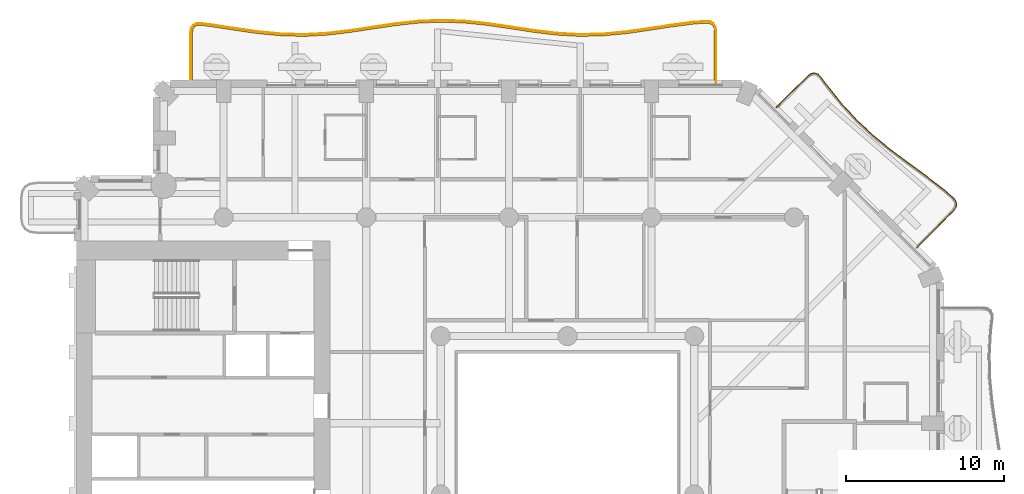
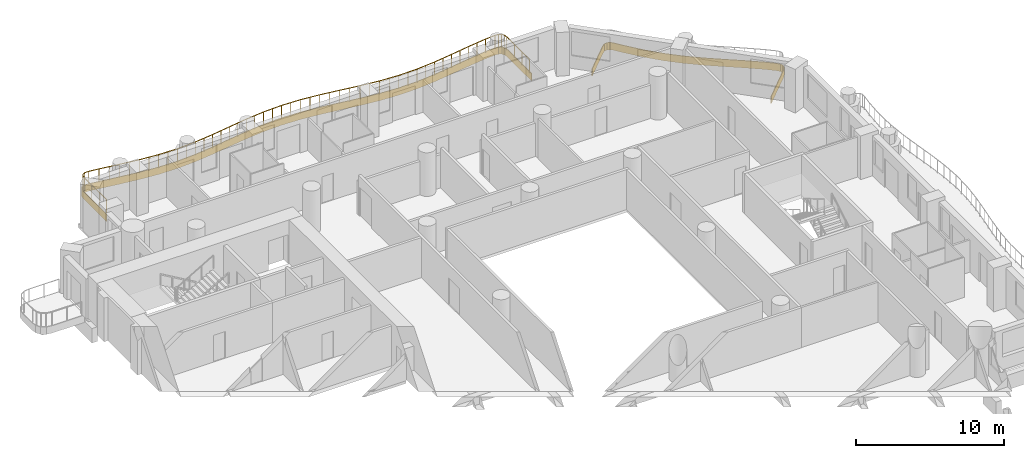
# One storey, part 17 of 19: 2 coverings, 1 railing.
"""IFC4 building model written with IfcOpenShell, lengths in metres."""

from ifc_helpers import new_model, si_unit, direction, frame, origin, origin_2d, place, context, subcontext, project, spatial, polyline, rectangle, outline, extrude, material, layer, layer_set, type_object, element, save


model = new_model("IFC4")

# Units and contexts
model_context = context("Model", 3, precision=1e-05, world=origin(), true_north=direction((0.0, 1.0)))
body_context = subcontext(model_context, "Body", "Model", "MODEL_VIEW")
ifc_project = project(units=[si_unit("LENGTHUNIT", "METRE"), si_unit("AREAUNIT", "SQUARE_METRE"), si_unit("VOLUMEUNIT", "CUBIC_METRE"), si_unit("PLANEANGLEUNIT", "RADIAN"), si_unit("MASSUNIT", "GRAM", prefix="KILO")], contexts=[model_context])

# Site, building, storey
site_placement = place(None, origin())
site = spatial("IfcSite", under=ifc_project, at=site_placement, CompositionType="ELEMENT")
building_placement = place(site_placement, origin())
building = spatial("IfcBuilding", under=site, at=building_placement, Name="Cypress Arch Tower", CompositionType="ELEMENT")
storey_placement = place(building_placement, frame((0.0, 0.0, 98.699951171875)))
storey = spatial("IfcBuildingStorey", under=building, at=storey_placement, Name="L19", CompositionType="ELEMENT", Elevation=98.699951171875)

# Coverings
ifc_material_1 = material(Name="White powder-coated aluminium fascia", Category="aluminium")
ifc_layer = layer(ifc_material_1, 0.050048828125)
ifc_layer_set = layer_set([ifc_layer], Name="Balcony fascia BF50")
covering_type = type_object("IfcCoveringType", Name="Balcony fascia BF50", PredefinedType="CLADDING", material=ifc_layer_set)
covering_1_placement = place(storey_placement, frame((0.0, 0.0, -0.599853515625)))
element("IfcCovering", 1, at=covering_1_placement, inside=storey, type_object=covering_type, Name="Balcony fascia L19-A07", PredefinedType="CLADDING", context=body_context, shape_type="SweptSolid", body=[
    extrude(outline(polyline([(16.12109375, 26.409912109375), (16.351318359375, 26.58203125), (16.5859375, 26.631591796875), (16.81103515625, 26.54833984375), (17.013671875, 26.3447265625), (17.47509765625, 25.724609375), (18.349609375, 24.643310546875), (19.287109375, 23.626220703125), (20.297607421875, 22.68212890625), (21.373779296875, 21.802734375), (22.493896484375, 20.965087890625), (23.62548828125, 20.13671875), (24.734130859375, 19.282958984375), (25.317138671875, 18.78125), (25.50634765625, 18.564453125), (25.57861328125, 18.331298828125), (25.52392578125, 18.09326171875), (25.3515625, 17.86279296875), (23.045166015625, 15.556396484375), (23.009765625, 15.591796875), (25.313720703125, 17.895751953125), (25.4775390625, 18.11474609375), (25.52685546875, 18.329345703125), (25.461669921875, 18.53955078125), (25.281982421875, 18.74560546875), (24.70263671875, 19.244140625), (23.595458984375, 20.0966796875), (22.464111328125, 20.9248046875), (21.343017578125, 21.76318359375), (20.2646484375, 22.64453125), (19.251708984375, 23.591064453125), (18.311767578125, 24.610595703125), (17.435546875, 25.694091796875), (16.975830078125, 26.31201171875), (16.783203125, 26.50537109375), (16.582275390625, 26.579833984375), (16.372314453125, 26.535400390625), (16.15380859375, 26.371826171875), (14.191650390625, 24.40966796875), (14.15625, 24.445068359375), (16.12109375, 26.409912109375)])), origin(), (0.0, 0.0, 1.0), 0.599853515625),
])
covering_2_placement = place(storey_placement, frame((0.0, 0.0, -0.599853515625)))
element("IfcCovering", 2, at=covering_2_placement, inside=storey, type_object=covering_type, Name="Balcony fascia L19-A08", PredefinedType="CLADDING", context=body_context, shape_type="SweptSolid", body=[
    extrude(outline(polyline([(-22.800048828125, 29.129638671875), (-22.757568359375, 29.42431640625), (-22.622314453125, 29.6337890625), (-22.397216796875, 29.740478515625), (-22.099365234375, 29.744384765625), (-21.3037109375, 29.64013671875), (-19.864501953125, 29.4169921875), (-18.4267578125, 29.21435546875), (-16.99072265625, 29.082275390625), (-15.55517578125, 29.05322265625), (-14.11962890625, 29.13427734375), (-12.682861328125, 29.3056640625), (-11.244384765625, 29.525146484375), (-9.80419921875, 29.73828125), (-8.3623046875, 29.892822265625), (-6.919677734375, 29.949951171875), (-5.476806640625, 29.895751953125), (-4.034912109375, 29.74365234375), (-2.5947265625, 29.53125), (-1.15625, 29.311279296875), (0.280517578125, 29.137939453125), (1.71630859375, 29.05419921875), (3.151611328125, 29.080078125), (4.587646484375, 29.209716796875), (6.025390625, 29.410888671875), (7.464599609375, 29.63427734375), (8.90576171875, 29.82470703125), (9.7021484375, 29.885498046875), (9.99951171875, 29.865478515625), (10.223388671875, 29.748046875), (10.357421875, 29.533935546875), (10.39990234375, 29.23876953125), (10.39990234375, 26.0009765625), (10.35009765625, 26.0009765625), (10.35009765625, 29.235107421875), (10.3095703125, 29.516357421875), (10.18798828125, 29.7099609375), (9.98583984375, 29.81640625), (9.702392578125, 29.835205078125), (8.910888671875, 29.77490234375), (7.4716796875, 29.584716796875), (6.03271484375, 29.361572265625), (4.593505859375, 29.159912109375), (3.154296875, 29.030029296875), (1.71533203125, 29.004150390625), (0.276123046875, 29.088134765625), (-1.1630859375, 29.26171875), (-2.602294921875, 29.481689453125), (-4.041259765625, 29.69384765625), (-5.48046875, 29.845947265625), (-6.919677734375, 29.89990234375), (-8.358642578125, 29.843017578125), (-9.7978515625, 29.688720703125), (-11.237060546875, 29.4755859375), (-12.676025390625, 29.256103515625), (-14.115234375, 29.08447265625), (-15.554443359375, 29.003173828125), (-16.993408203125, 29.032470703125), (-18.4326171875, 29.164794921875), (-19.871826171875, 29.367431640625), (-21.310791015625, 29.590576171875), (-22.102294921875, 29.6943359375), (-22.3857421875, 29.690673828125), (-22.588134765625, 29.5947265625), (-22.70947265625, 29.406494140625), (-22.75, 29.1259765625), (-22.75, 26.0009765625), (-22.800048828125, 26.0009765625), (-22.800048828125, 29.129638671875)])), origin(), (0.0, 0.0, 1.0), 0.599853515625),
])

# Railing
ifc_material_2 = material(Name="Powder-coated steel posts and rods, 100 mm clear between rods", Category="steel")
railing_type = type_object("IfcRailingType", Name="Balcony guard GR1100", PredefinedType="GUARDRAIL", material=ifc_material_2)
railing_placement = place(storey_placement, frame((-22.699951171875, 26.14990234375, 0.0)))
element("IfcRailing", 3, at=railing_placement, inside=storey, type_object=railing_type, Name="Balcony guard L19-A08", PredefinedType="GUARDRAIL", context=body_context, shape_type="SweptSolid", body=[
    extrude(rectangle(XDim=0.050048828125, YDim=0.050048828125, at=origin_2d()), frame((0.0, 0.0, 1.0751953125), z_axis=(0.0, 1.0, 0.0), x_axis=(-1.0, 0.0, 0.0)), (0.0, 0.0, 1.0), 2.972412109375),
    extrude(rectangle(XDim=0.050048828125, YDim=0.050048828125, at=origin_2d()), frame((0.0, 2.972412109375, 1.0751953125), z_axis=(0.14256541736, 0.989785381673, 0.0), x_axis=(-0.989785381673, 0.14256541736, 0.0)), (0.0, 0.0, 1.0), 0.268798828125),
    extrude(rectangle(XDim=0.050048828125, YDim=0.050048828125, at=origin_2d()), frame((0.038330078125, 3.238525390625, 1.0751953125), z_axis=(0.5421827487, 0.840260594704, 0.0), x_axis=(-0.840260594704, 0.5421827487, 0.0)), (0.0, 0.0, 1.0), 0.198974609375),
    extrude(rectangle(XDim=0.050048828125, YDim=0.050048828125, at=origin_2d()), frame((0.146240234375, 3.40576171875, 1.0751953125), z_axis=(0.903812941025, 0.427927759832, 0.0), x_axis=(-0.427927759832, 0.903812941025, 0.0)), (0.0, 0.0, 1.0), 0.198486328125),
    extrude(rectangle(XDim=0.050048828125, YDim=0.050048828125, at=origin_2d()), frame((0.32568359375, 3.49072265625, 1.0751953125), z_axis=(0.999907374836, 0.013610354467, 0.0), x_axis=(-0.013610354467, 0.999907374836, 0.0)), (0.0, 0.0, 1.0), 0.26904296875),
    extrude(rectangle(XDim=0.050048828125, YDim=0.050048828125, at=origin_2d()), frame((0.5947265625, 3.494384765625, 1.0751953125), z_axis=(0.991547179786, -0.129746638719, 0.0), x_axis=(0.129746638719, 0.991547179786, 0.0)), (0.0, 0.0, 1.0), 0.7939453125),
    extrude(rectangle(XDim=0.050048828125, YDim=0.050048828125, at=origin_2d()), frame((1.382080078125, 3.391357421875, 1.0751953125), z_axis=(0.988184852879, -0.153266749624, 0.0), x_axis=(0.153266749624, 0.988184852879, 0.0)), (0.0, 0.0, 1.0), 1.455810546875),
    extrude(rectangle(XDim=0.050048828125, YDim=0.050048828125, at=origin_2d()), frame((2.82080078125, 3.168212890625, 1.0751953125), z_axis=(0.990206257775, -0.139612202418, 0.0), x_axis=(0.139612202418, 0.990206257775, 0.0)), (0.0, 0.0, 1.0), 1.454833984375),
    extrude(rectangle(XDim=0.050048828125, YDim=0.050048828125, at=origin_2d()), frame((4.261474609375, 2.965087890625, 1.0751953125), z_axis=(0.995801502234, -0.091538888727, 0.0), x_axis=(0.091538888727, 0.995801502234, 0.0)), (0.0, 0.0, 1.0), 1.4482421875),
    extrude(rectangle(XDim=0.050048828125, YDim=0.050048828125, at=origin_2d()), frame((5.70361328125, 2.83251953125, 1.0751953125), z_axis=(0.999793925966, -0.020300384284, 0.0), x_axis=(0.020300384284, 0.999793925966, 0.0)), (0.0, 0.0, 1.0), 1.443115234375),
    extrude(rectangle(XDim=0.050048828125, YDim=0.050048828125, at=origin_2d()), frame((7.146484375, 2.80322265625, 1.0751953125), z_axis=(0.998406339477, 0.05643386654, 0.0), x_axis=(-0.05643386654, 0.998406339477, 0.0)), (0.0, 0.0, 1.0), 1.44482421875),
    extrude(rectangle(XDim=0.050048828125, YDim=0.050048828125, at=origin_2d()), frame((8.589111328125, 2.884765625, 1.0751953125), z_axis=(0.992965693526, 0.11840241332, 0.0), x_axis=(-0.11840241332, 0.992965693526, 0.0)), (0.0, 0.0, 1.0), 1.45166015625),
    extrude(rectangle(XDim=0.050048828125, YDim=0.050048828125, at=origin_2d()), frame((10.030517578125, 3.056640625, 1.0751953125), z_axis=(0.988556974832, 0.150847961572, 0.0), x_axis=(-0.150847961572, 0.988556974832, 0.0)), (0.0, 0.0, 1.0), 1.45654296875),
    extrude(rectangle(XDim=0.050048828125, YDim=0.050048828125, at=origin_2d()), frame((11.470458984375, 3.2763671875, 1.0751953125), z_axis=(0.989217885368, 0.146451272673, 0.0), x_axis=(-0.146451272673, 0.989217885368, 0.0)), (0.0, 0.0, 1.0), 1.45361328125),
    extrude(rectangle(XDim=0.050048828125, YDim=0.050048828125, at=origin_2d()), frame((12.908447265625, 3.4892578125, 1.0751953125), z_axis=(0.994316822862, 0.106461522502, 0.0), x_axis=(-0.106461522502, 0.994316822862, 0.0)), (0.0, 0.0, 1.0), 1.44482421875),
    extrude(rectangle(XDim=0.050048828125, YDim=0.050048828125, at=origin_2d()), frame((14.344970703125, 3.64306640625, 1.0751953125), z_axis=(0.999215819367, 0.039594776516, 0.0), x_axis=(-0.039594776516, 0.999215819367, 0.0)), (0.0, 0.0, 1.0), 1.436767578125),
    extrude(rectangle(XDim=0.050048828125, YDim=0.050048828125, at=origin_2d()), frame((15.780517578125, 3.699951171875, 1.0751953125), z_axis=(0.999294430056, -0.037558515143, 0.0), x_axis=(0.037558515143, 0.999294430056, 0.0)), (0.0, 0.0, 1.0), 1.4365234375),
    extrude(rectangle(XDim=0.050048828125, YDim=0.050048828125, at=origin_2d()), frame((17.216064453125, 3.64599609375, 1.0751953125), z_axis=(0.994474844006, -0.104975162014, 0.0), x_axis=(0.104975162014, 0.994474844006, 0.0)), (0.0, 0.0, 1.0), 1.4443359375),
    extrude(rectangle(XDim=0.050048828125, YDim=0.050048828125, at=origin_2d()), frame((18.65234375, 3.494384765625, 1.0751953125), z_axis=(0.989315000854, -0.145793789599, 0.0), x_axis=(0.145793789599, 0.989315000854, 0.0)), (0.0, 0.0, 1.0), 1.45361328125),
    extrude(rectangle(XDim=0.050048828125, YDim=0.050048828125, at=origin_2d()), frame((20.09033203125, 3.282470703125, 1.0751953125), z_axis=(0.988503103525, -0.151200576459, 0.0), x_axis=(0.151200576459, 0.988503103525, 0.0)), (0.0, 0.0, 1.0), 1.45654296875),
    extrude(rectangle(XDim=0.050048828125, YDim=0.050048828125, at=origin_2d()), frame((21.530029296875, 3.062255859375, 1.0751953125), z_axis=(0.992809055205, -0.119708729434, 0.0), x_axis=(0.119708729434, 0.992809055205, 0.0)), (0.0, 0.0, 1.0), 1.4521484375),
    extrude(rectangle(XDim=0.050048828125, YDim=0.050048828125, at=origin_2d()), frame((22.9716796875, 2.888427734375, 1.0751953125), z_axis=(0.998299337099, -0.058296085189, 0.0), x_axis=(0.058296085189, 0.998299337099, 0.0)), (0.0, 0.0, 1.0), 1.44482421875),
    extrude(rectangle(XDim=0.050048828125, YDim=0.050048828125, at=origin_2d()), frame((24.4140625, 2.80419921875, 1.0751953125), z_axis=(0.999836146453, 0.018101940384, 0.0), x_axis=(-0.018101940384, 0.999836146453, 0.0)), (0.0, 0.0, 1.0), 1.443115234375),
    extrude(rectangle(XDim=0.050048828125, YDim=0.050048828125, at=origin_2d()), frame((25.85693359375, 2.830322265625, 1.0751953125), z_axis=(0.995953790443, 0.08986683093, 0.0), x_axis=(-0.08986683093, 0.995953790443, 0.0)), (0.0, 0.0, 1.0), 1.447998046875),
    extrude(rectangle(XDim=0.050048828125, YDim=0.050048828125, at=origin_2d()), frame((27.299072265625, 2.96044921875, 1.0751953125), z_axis=(0.990344972575, 0.138624800432, 0.0), x_axis=(-0.138624800432, 0.990344972575, 0.0)), (0.0, 0.0, 1.0), 1.454833984375),
    extrude(rectangle(XDim=0.050048828125, YDim=0.050048828125, at=origin_2d()), frame((28.73974609375, 3.162109375, 1.0751953125), z_axis=(0.98816338909, 0.153405073128, 0.0), x_axis=(-0.153405073128, 0.98816338909, 0.0)), (0.0, 0.0, 1.0), 1.456298828125),
    extrude(rectangle(XDim=0.050048828125, YDim=0.050048828125, at=origin_2d()), frame((30.1787109375, 3.385498046875, 1.0751953125), z_axis=(0.991402055353, 0.130850925261, 0.0), x_axis=(-0.130850925261, 0.991402055353, 0.0)), (0.0, 0.0, 1.0), 1.44970703125),
    extrude(rectangle(XDim=0.050048828125, YDim=0.050048828125, at=origin_2d()), frame((31.615966796875, 3.5751953125, 1.0751953125), z_axis=(0.99709801299, 0.076128526131, 0.0), x_axis=(-0.076128526131, 0.99709801299, 0.0)), (0.0, 0.0, 1.0), 0.788818359375),
    extrude(rectangle(XDim=0.050048828125, YDim=0.050048828125, at=origin_2d()), frame((32.402587890625, 3.63525390625, 1.0751953125), z_axis=(0.997757051233, -0.066939276329, 0.0), x_axis=(0.066939276329, 0.997757051233, 0.0)), (0.0, 0.0, 1.0), 0.269775390625),
    extrude(rectangle(XDim=0.050048828125, YDim=0.050048828125, at=origin_2d()), frame((32.671875, 3.6171875, 1.0751953125), z_axis=(0.884918222382, -0.465746432833, 0.0), x_axis=(0.465746432833, 0.884918222382, 0.0)), (0.0, 0.0, 1.0), 0.204345703125),
    extrude(rectangle(XDim=0.050048828125, YDim=0.050048828125, at=origin_2d()), frame((32.852783203125, 3.52197265625, 1.0751953125), z_axis=(0.531071251699, -0.847327165632, 0.0), x_axis=(0.847327165632, 0.531071251699, 0.0)), (0.0, 0.0, 1.0), 0.20458984375),
    extrude(rectangle(XDim=0.050048828125, YDim=0.050048828125, at=origin_2d()), frame((32.96142578125, 3.3486328125, 1.0751953125), z_axis=(0.143069172256, -0.989712691618, 0.0), x_axis=(0.989712691618, 0.143069172256, 0.0)), (0.0, 0.0, 1.0), 0.26953125),
    extrude(rectangle(XDim=0.050048828125, YDim=0.050048828125, at=origin_2d()), frame((33.0, 3.081787109375, 1.0751953125), z_axis=(0.0, -1.0, 0.0), x_axis=(1.0, 0.0, 0.0)), (0.0, 0.0, 1.0), 3.081787109375),
    extrude(rectangle(XDim=0.0400390625, YDim=0.0400390625, at=origin_2d()), origin(), (0.0, 0.0, 1.0), 1.050048828125),
    extrude(rectangle(XDim=0.0400390625, YDim=0.0400390625, at=origin_2d()), frame((0.0, 0.99072265625, 0.0)), (0.0, 0.0, 1.0), 1.050048828125),
    extrude(rectangle(XDim=0.0400390625, YDim=0.0400390625, at=origin_2d()), frame((0.0, 1.981689453125, 0.0)), (0.0, 0.0, 1.0), 1.050048828125),
    extrude(rectangle(XDim=0.0400390625, YDim=0.0400390625, at=origin_2d()), frame((0.0, 2.972412109375, 0.0)), (0.0, 0.0, 1.0), 1.050048828125),
    extrude(rectangle(XDim=0.0400390625, YDim=0.0400390625, at=origin_2d()), frame((0.038330078125, 3.238525390625, 0.0)), (0.0, 0.0, 1.0), 1.050048828125),
    extrude(rectangle(XDim=0.0400390625, YDim=0.0400390625, at=origin_2d()), frame((0.146240234375, 3.40576171875, 0.0)), (0.0, 0.0, 1.0), 1.050048828125),
    extrude(rectangle(XDim=0.0400390625, YDim=0.0400390625, at=origin_2d()), frame((0.32568359375, 3.49072265625, 0.0)), (0.0, 0.0, 1.0), 1.050048828125),
    extrude(rectangle(XDim=0.0400390625, YDim=0.0400390625, at=origin_2d()), frame((0.5947265625, 3.494384765625, 0.0)), (0.0, 0.0, 1.0), 1.050048828125),
    extrude(rectangle(XDim=0.0400390625, YDim=0.0400390625, at=origin_2d()), frame((1.382080078125, 3.391357421875, 0.0)), (0.0, 0.0, 1.0), 1.050048828125),
    extrude(rectangle(XDim=0.0400390625, YDim=0.0400390625, at=origin_2d()), frame((2.1015625, 3.27978515625, 0.0)), (0.0, 0.0, 1.0), 1.050048828125),
    extrude(rectangle(XDim=0.0400390625, YDim=0.0400390625, at=origin_2d()), frame((2.82080078125, 3.168212890625, 0.0)), (0.0, 0.0, 1.0), 1.050048828125),
    extrude(rectangle(XDim=0.0400390625, YDim=0.0400390625, at=origin_2d()), frame((3.541015625, 3.066650390625, 0.0)), (0.0, 0.0, 1.0), 1.050048828125),
    extrude(rectangle(XDim=0.0400390625, YDim=0.0400390625, at=origin_2d()), frame((4.261474609375, 2.965087890625, 0.0)), (0.0, 0.0, 1.0), 1.050048828125),
    extrude(rectangle(XDim=0.0400390625, YDim=0.0400390625, at=origin_2d()), frame((4.982421875, 2.89892578125, 0.0)), (0.0, 0.0, 1.0), 1.050048828125),
    extrude(rectangle(XDim=0.0400390625, YDim=0.0400390625, at=origin_2d()), frame((5.70361328125, 2.83251953125, 0.0)), (0.0, 0.0, 1.0), 1.050048828125),
    extrude(rectangle(XDim=0.0400390625, YDim=0.0400390625, at=origin_2d()), frame((6.425048828125, 2.81787109375, 0.0)), (0.0, 0.0, 1.0), 1.050048828125),
    extrude(rectangle(XDim=0.0400390625, YDim=0.0400390625, at=origin_2d()), frame((7.146484375, 2.80322265625, 0.0)), (0.0, 0.0, 1.0), 1.050048828125),
    extrude(rectangle(XDim=0.0400390625, YDim=0.0400390625, at=origin_2d()), frame((7.86767578125, 2.843994140625, 0.0)), (0.0, 0.0, 1.0), 1.050048828125),
    extrude(rectangle(XDim=0.0400390625, YDim=0.0400390625, at=origin_2d()), frame((8.589111328125, 2.884765625, 0.0)), (0.0, 0.0, 1.0), 1.050048828125),
    extrude(rectangle(XDim=0.0400390625, YDim=0.0400390625, at=origin_2d()), frame((9.309814453125, 2.970703125, 0.0)), (0.0, 0.0, 1.0), 1.050048828125),
    extrude(rectangle(XDim=0.0400390625, YDim=0.0400390625, at=origin_2d()), frame((10.030517578125, 3.056640625, 0.0)), (0.0, 0.0, 1.0), 1.050048828125),
    extrude(rectangle(XDim=0.0400390625, YDim=0.0400390625, at=origin_2d()), frame((10.75048828125, 3.16650390625, 0.0)), (0.0, 0.0, 1.0), 1.050048828125),
    extrude(rectangle(XDim=0.0400390625, YDim=0.0400390625, at=origin_2d()), frame((11.470458984375, 3.2763671875, 0.0)), (0.0, 0.0, 1.0), 1.050048828125),
    extrude(rectangle(XDim=0.0400390625, YDim=0.0400390625, at=origin_2d()), frame((12.189453125, 3.3828125, 0.0)), (0.0, 0.0, 1.0), 1.050048828125),
    extrude(rectangle(XDim=0.0400390625, YDim=0.0400390625, at=origin_2d()), frame((12.908447265625, 3.4892578125, 0.0)), (0.0, 0.0, 1.0), 1.050048828125),
    extrude(rectangle(XDim=0.0400390625, YDim=0.0400390625, at=origin_2d()), frame((13.626708984375, 3.566162109375, 0.0)), (0.0, 0.0, 1.0), 1.050048828125),
    extrude(rectangle(XDim=0.0400390625, YDim=0.0400390625, at=origin_2d()), frame((14.344970703125, 3.64306640625, 0.0)), (0.0, 0.0, 1.0), 1.050048828125),
    extrude(rectangle(XDim=0.0400390625, YDim=0.0400390625, at=origin_2d()), frame((15.062744140625, 3.67138671875, 0.0)), (0.0, 0.0, 1.0), 1.050048828125),
    extrude(rectangle(XDim=0.0400390625, YDim=0.0400390625, at=origin_2d()), frame((15.780517578125, 3.699951171875, 0.0)), (0.0, 0.0, 1.0), 1.050048828125),
    extrude(rectangle(XDim=0.0400390625, YDim=0.0400390625, at=origin_2d()), frame((16.498291015625, 3.6728515625, 0.0)), (0.0, 0.0, 1.0), 1.050048828125),
    extrude(rectangle(XDim=0.0400390625, YDim=0.0400390625, at=origin_2d()), frame((17.216064453125, 3.64599609375, 0.0)), (0.0, 0.0, 1.0), 1.050048828125),
    extrude(rectangle(XDim=0.0400390625, YDim=0.0400390625, at=origin_2d()), frame((17.93408203125, 3.5703125, 0.0)), (0.0, 0.0, 1.0), 1.050048828125),
    extrude(rectangle(XDim=0.0400390625, YDim=0.0400390625, at=origin_2d()), frame((18.65234375, 3.494384765625, 0.0)), (0.0, 0.0, 1.0), 1.050048828125),
    extrude(rectangle(XDim=0.0400390625, YDim=0.0400390625, at=origin_2d()), frame((19.371337890625, 3.388427734375, 0.0)), (0.0, 0.0, 1.0), 1.050048828125),
    extrude(rectangle(XDim=0.0400390625, YDim=0.0400390625, at=origin_2d()), frame((20.09033203125, 3.282470703125, 0.0)), (0.0, 0.0, 1.0), 1.050048828125),
    extrude(rectangle(XDim=0.0400390625, YDim=0.0400390625, at=origin_2d()), frame((20.81005859375, 3.17236328125, 0.0)), (0.0, 0.0, 1.0), 1.050048828125),
    extrude(rectangle(XDim=0.0400390625, YDim=0.0400390625, at=origin_2d()), frame((21.530029296875, 3.062255859375, 0.0)), (0.0, 0.0, 1.0), 1.050048828125),
    extrude(rectangle(XDim=0.0400390625, YDim=0.0400390625, at=origin_2d()), frame((22.2509765625, 2.975341796875, 0.0)), (0.0, 0.0, 1.0), 1.050048828125),
    extrude(rectangle(XDim=0.0400390625, YDim=0.0400390625, at=origin_2d()), frame((22.9716796875, 2.888427734375, 0.0)), (0.0, 0.0, 1.0), 1.050048828125),
    extrude(rectangle(XDim=0.0400390625, YDim=0.0400390625, at=origin_2d()), frame((23.69287109375, 2.84619140625, 0.0)), (0.0, 0.0, 1.0), 1.050048828125),
    extrude(rectangle(XDim=0.0400390625, YDim=0.0400390625, at=origin_2d()), frame((24.4140625, 2.80419921875, 0.0)), (0.0, 0.0, 1.0), 1.050048828125),
    extrude(rectangle(XDim=0.0400390625, YDim=0.0400390625, at=origin_2d()), frame((25.135498046875, 2.8173828125, 0.0)), (0.0, 0.0, 1.0), 1.050048828125),
    extrude(rectangle(XDim=0.0400390625, YDim=0.0400390625, at=origin_2d()), frame((25.85693359375, 2.830322265625, 0.0)), (0.0, 0.0, 1.0), 1.050048828125),
    extrude(rectangle(XDim=0.0400390625, YDim=0.0400390625, at=origin_2d()), frame((26.578125, 2.8955078125, 0.0)), (0.0, 0.0, 1.0), 1.050048828125),
    extrude(rectangle(XDim=0.0400390625, YDim=0.0400390625, at=origin_2d()), frame((27.299072265625, 2.96044921875, 0.0)), (0.0, 0.0, 1.0), 1.050048828125),
    extrude(rectangle(XDim=0.0400390625, YDim=0.0400390625, at=origin_2d()), frame((28.01953125, 3.061279296875, 0.0)), (0.0, 0.0, 1.0), 1.050048828125),
    extrude(rectangle(XDim=0.0400390625, YDim=0.0400390625, at=origin_2d()), frame((28.73974609375, 3.162109375, 0.0)), (0.0, 0.0, 1.0), 1.050048828125),
    extrude(rectangle(XDim=0.0400390625, YDim=0.0400390625, at=origin_2d()), frame((29.459228515625, 3.27392578125, 0.0)), (0.0, 0.0, 1.0), 1.050048828125),
    extrude(rectangle(XDim=0.0400390625, YDim=0.0400390625, at=origin_2d()), frame((30.1787109375, 3.385498046875, 0.0)), (0.0, 0.0, 1.0), 1.050048828125),
    extrude(rectangle(XDim=0.0400390625, YDim=0.0400390625, at=origin_2d()), frame((30.8974609375, 3.48046875, 0.0)), (0.0, 0.0, 1.0), 1.050048828125),
    extrude(rectangle(XDim=0.0400390625, YDim=0.0400390625, at=origin_2d()), frame((31.615966796875, 3.5751953125, 0.0)), (0.0, 0.0, 1.0), 1.050048828125),
    extrude(rectangle(XDim=0.0400390625, YDim=0.0400390625, at=origin_2d()), frame((32.402587890625, 3.63525390625, 0.0)), (0.0, 0.0, 1.0), 1.050048828125),
    extrude(rectangle(XDim=0.0400390625, YDim=0.0400390625, at=origin_2d()), frame((32.671875, 3.6171875, 0.0)), (0.0, 0.0, 1.0), 1.050048828125),
    extrude(rectangle(XDim=0.0400390625, YDim=0.0400390625, at=origin_2d()), frame((32.852783203125, 3.52197265625, 0.0)), (0.0, 0.0, 1.0), 1.050048828125),
    extrude(rectangle(XDim=0.0400390625, YDim=0.0400390625, at=origin_2d()), frame((32.96142578125, 3.3486328125, 0.0)), (0.0, 0.0, 1.0), 1.050048828125),
    extrude(rectangle(XDim=0.0400390625, YDim=0.0400390625, at=origin_2d()), frame((33.0, 3.081787109375, 0.0)), (0.0, 0.0, 1.0), 1.050048828125),
    extrude(rectangle(XDim=0.0400390625, YDim=0.0400390625, at=origin_2d()), frame((33.0, 2.054443359375, 0.0)), (0.0, 0.0, 1.0), 1.050048828125),
    extrude(rectangle(XDim=0.0400390625, YDim=0.0400390625, at=origin_2d()), frame((33.0, 1.02734375, 0.0)), (0.0, 0.0, 1.0), 1.050048828125),
    extrude(rectangle(XDim=0.0400390625, YDim=0.0400390625, at=origin_2d()), frame((33.0, 0.0, 0.0)), (0.0, 0.0, 1.0), 1.050048828125),
])

save(model, "model.ifc")
